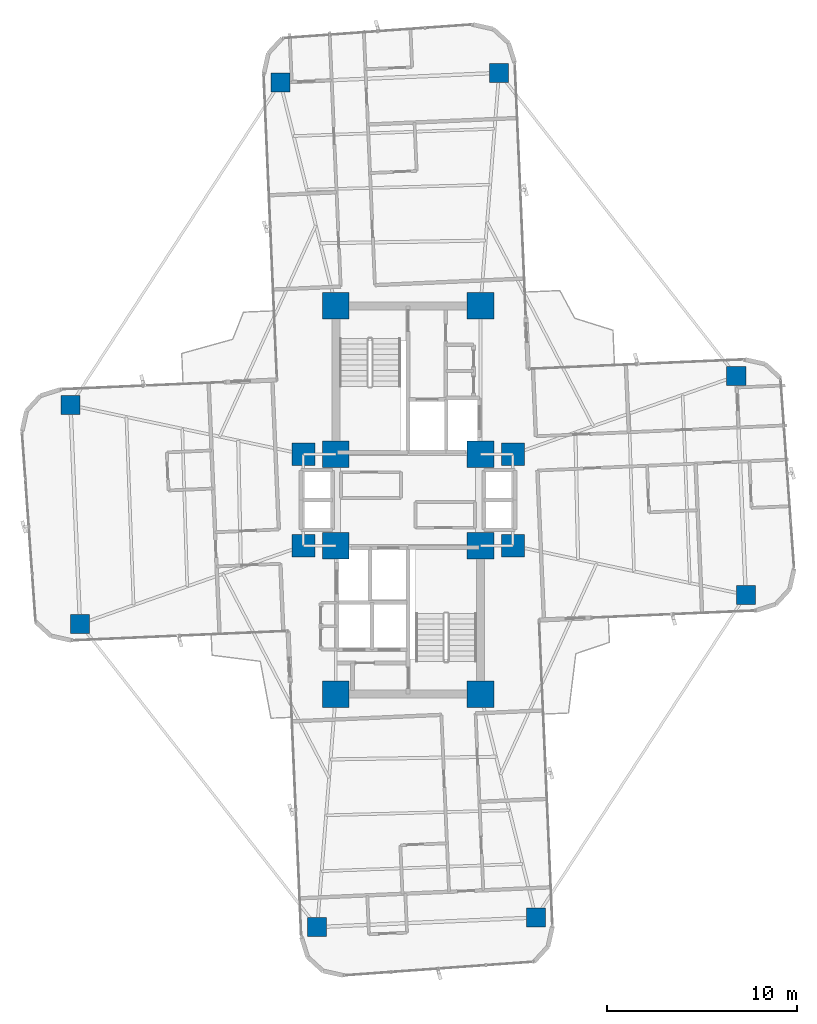
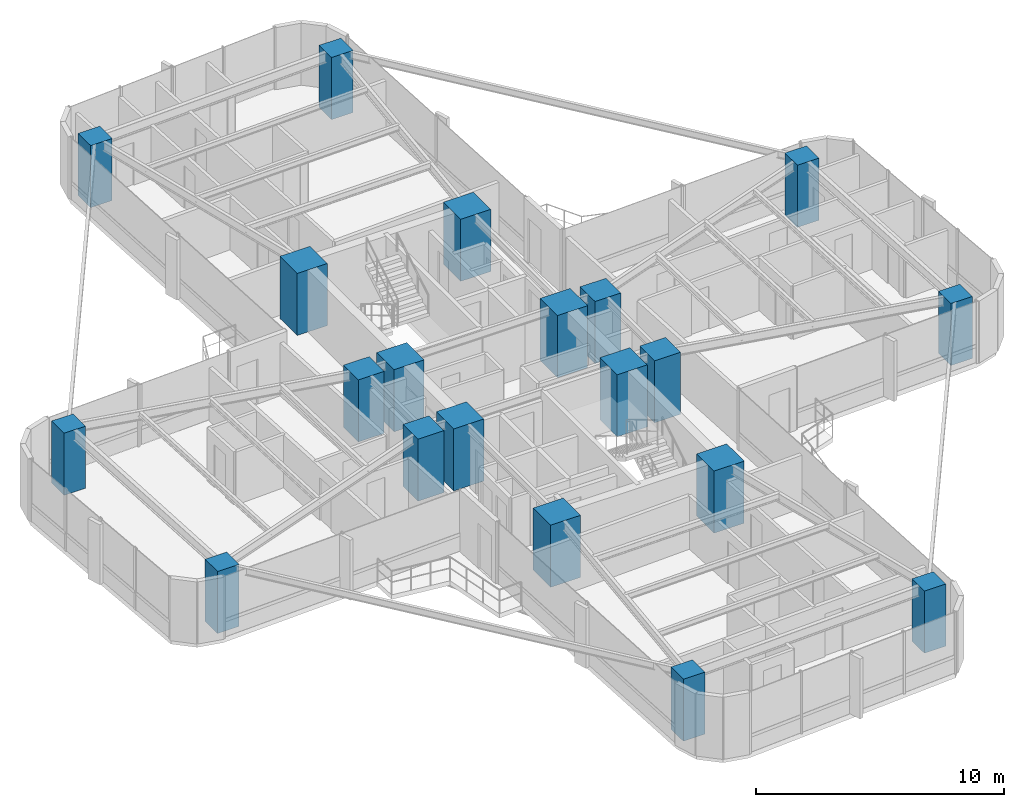
# One storey, part 1 of 27: 20 columns.
"""IFC4 building model written with IfcOpenShell, lengths in metres."""

from ifc_helpers import new_model, si_unit, direction, frame, origin, origin_2d, place, context, subcontext, project, spatial, rectangle, extrude, source, transform, mapped, material, material_profile, profile_set, type_object, element, save


model = new_model("IFC4")

# Units and contexts
model_context = context("Model", 3, precision=1e-05, world=origin(), true_north=direction((0.0, 1.0)))
body_context = subcontext(model_context, "Body", "Model", "MODEL_VIEW")
ifc_project = project(units=[si_unit("LENGTHUNIT", "METRE"), si_unit("AREAUNIT", "SQUARE_METRE"), si_unit("VOLUMEUNIT", "CUBIC_METRE"), si_unit("PLANEANGLEUNIT", "RADIAN"), si_unit("MASSUNIT", "GRAM", prefix="KILO")], contexts=[model_context])

# Site, building, storey
site_placement = place(None, origin())
site = spatial("IfcSite", under=ifc_project, at=site_placement, CompositionType="ELEMENT")
building_placement = place(site_placement, origin())
building = spatial("IfcBuilding", under=site, at=building_placement, Name="Sahyath Konkavel Grand Hotel", CompositionType="ELEMENT")
storey_placement = place(building_placement, frame((0.0, 0.0, 103.60009765625)))
storey = spatial("IfcBuildingStorey", under=building, at=storey_placement, Name="L28", CompositionType="ELEMENT", Elevation=103.60009765625)

# Columns
ifc_material_1 = material(Name="Concrete C70/85", Category="concrete")
ifc_material_profile_1 = material_profile(ifc_material_1, rectangle(XDim=1.39990234375, YDim=1.39990234375, at=origin_2d()), Name="RC 1400x1400")
ifc_profile_set_1 = profile_set([ifc_material_profile_1], Name="Concrete C70/85")
column_type_1 = type_object("IfcColumnType", Name="COL-RC1400", PredefinedType="COLUMN", material=ifc_profile_set_1)
shared_shape_1 = source(origin(), body_context, "Body", "SweptSolid", [
    extrude(rectangle(XDim=1.39990234375, YDim=1.39990234375, at=origin_2d()), origin(), (0.0, 0.0, 1.0), 3.0498046875),
])
for number, where, z_axis, x_axis, name in (
    (1, (-3.800048828125, 2.39990234375, 0.0), (0.0, 0.0, 1.0), (1.0, 0.0, 0.0), "L28 Core Boundary Column NC-SW"),
    (2, (3.800048828125, 2.39990234375, 0.0), (0.0, 0.0, 1.0), (1.0, 0.0, 0.0), "L28 Core Boundary Column NC-SE"),
    (3, (-3.800048828125, 10.199951171875, 0.0), (0.0, 0.0, 1.0), (1.0, 0.0, 0.0), "L28 Core Boundary Column NC-NW"),
    (4, (3.800048828125, 10.199951171875, 0.0), (0.0, 0.0, 1.0), (1.0, 0.0, 0.0), "L28 Core Boundary Column NC-NE"),
    (5, (-3.800048828125, -2.39990234375, 0.0), (0.0, 0.0, 1.0), (1.0, 0.0, 0.0), "L28 Core Boundary Column SC-NW"),
    (6, (3.800048828125, -2.39990234375, 0.0), (0.0, 0.0, 1.0), (1.0, 0.0, 0.0), "L28 Core Boundary Column SC-NE"),
    (7, (-3.800048828125, -10.199951171875, 0.0), (0.0, 0.0, 1.0), (1.0, 0.0, 0.0), "L28 Core Boundary Column SC-SW"),
    (8, (3.800048828125, -10.199951171875, 0.0), (0.0, 0.0, 1.0), (1.0, 0.0, 0.0), "L28 Core Boundary Column SC-SE"),
):
    element("IfcColumn", number, at=place(storey_placement, frame(where, z_axis=z_axis, x_axis=x_axis)), inside=storey, type_object=column_type_1, Name=name, PredefinedType="COLUMN", context=body_context, shape_type="MappedRepresentation", body=[
        mapped(shared_shape_1, transform((0.0, 0.0, 0.0), scale=1.0)),
    ])
ifc_material_2 = material(Name="Concrete C50/60", Category="concrete")
ifc_material_profile_2 = material_profile(ifc_material_2, rectangle(XDim=1.199951171875, YDim=1.199951171875, at=origin_2d()), Name="RC 1200x1200")
ifc_profile_set_2 = profile_set([ifc_material_profile_2], Name="Concrete C50/60")
column_type_2 = type_object("IfcColumnType", Name="COL-RC1200", PredefinedType="COLUMN", material=ifc_profile_set_2)
shared_shape_2 = source(origin(), body_context, "Body", "SweptSolid", [
    extrude(rectangle(XDim=1.199951171875, YDim=1.199951171875, at=origin_2d()), origin(), (0.0, 0.0, 1.0), 3.0498046875),
])
for number, where, z_axis, x_axis, name in (
    (9, (5.5, 2.39990234375, 0.0), (0.0, 0.0, 1.0), (1.0, 0.0, 0.0), "L28 Central Spine Column HB-NE"),
    (10, (-5.5, 2.39990234375, 0.0), (0.0, 0.0, 1.0), (1.0, 0.0, 0.0), "L28 Central Spine Column HB-NW"),
    (11, (5.5, -2.39990234375, 0.0), (0.0, 0.0, 1.0), (1.0, 0.0, 0.0), "L28 Central Spine Column HB-SE"),
    (12, (-5.5, -2.39990234375, 0.0), (0.0, 0.0, 1.0), (1.0, 0.0, 0.0), "L28 Central Spine Column HB-SW"),
):
    element("IfcColumn", number, at=place(storey_placement, frame(where, z_axis=z_axis, x_axis=x_axis)), inside=storey, type_object=column_type_2, Name=name, PredefinedType="COLUMN", context=body_context, shape_type="MappedRepresentation", body=[
        mapped(shared_shape_2, transform((0.0, 0.0, 0.0), scale=1.0)),
    ])
ifc_material_profile_3 = material_profile(ifc_material_2, rectangle(XDim=1.0, YDim=1.0, at=origin_2d()), Name="RC 1000x1000")
ifc_profile_set_3 = profile_set([ifc_material_profile_3], Name="Concrete C50/60")
column_type_3 = type_object("IfcColumnType", Name="COL-RC1000", PredefinedType="COLUMN", material=ifc_profile_set_3)
shared_shape_3 = source(origin(), body_context, "Body", "SweptSolid", [
    extrude(rectangle(XDim=1.0, YDim=1.0, at=origin_2d()), origin(), (0.0, 0.0, 1.0), 3.0498046875),
])
for number, where, z_axis, x_axis, name in (
    (13, (17.734130859375, -4.981201171875, 0.0), (0.0, 0.0, 1.0), (1.0, 0.0, 0.0), "L28 Cruciform Wing Column WC-EA"),
    (14, (17.232421875, 6.5078125, 0.0), (0.0, 0.0, 1.0), (1.0, 0.0, 0.0), "L28 Cruciform Wing Column WC-EB"),
    (15, (4.776123046875, 22.4296875, 0.0), (0.0, 0.0, 1.0), (1.0, 0.0, 0.0), "L28 Cruciform Wing Column WC-NA"),
    (16, (-6.712890625, 21.927978515625, 0.0), (0.0, 0.0, 1.0), (1.0, 0.0, 0.0), "L28 Cruciform Wing Column WC-NB"),
    (17, (-17.734130859375, 4.981201171875, 0.0), (0.0, 0.0, 1.0), (1.0, 0.0, 0.0), "L28 Cruciform Wing Column WC-WA"),
    (18, (-17.232421875, -6.5078125, 0.0), (0.0, 0.0, 1.0), (1.0, 0.0, 0.0), "L28 Cruciform Wing Column WC-WB"),
    (19, (-4.776123046875, -22.4296875, 0.0), (0.0, 0.0, 1.0), (1.0, 0.0, 0.0), "L28 Cruciform Wing Column WC-SA"),
    (20, (6.712890625, -21.927978515625, 0.0), (0.0, 0.0, 1.0), (1.0, 0.0, 0.0), "L28 Cruciform Wing Column WC-SB"),
):
    element("IfcColumn", number, at=place(storey_placement, frame(where, z_axis=z_axis, x_axis=x_axis)), inside=storey, type_object=column_type_3, Name=name, PredefinedType="COLUMN", context=body_context, shape_type="MappedRepresentation", body=[
        mapped(shared_shape_3, transform((0.0, 0.0, 0.0), scale=1.0)),
    ])

save(model, "model.ifc")
